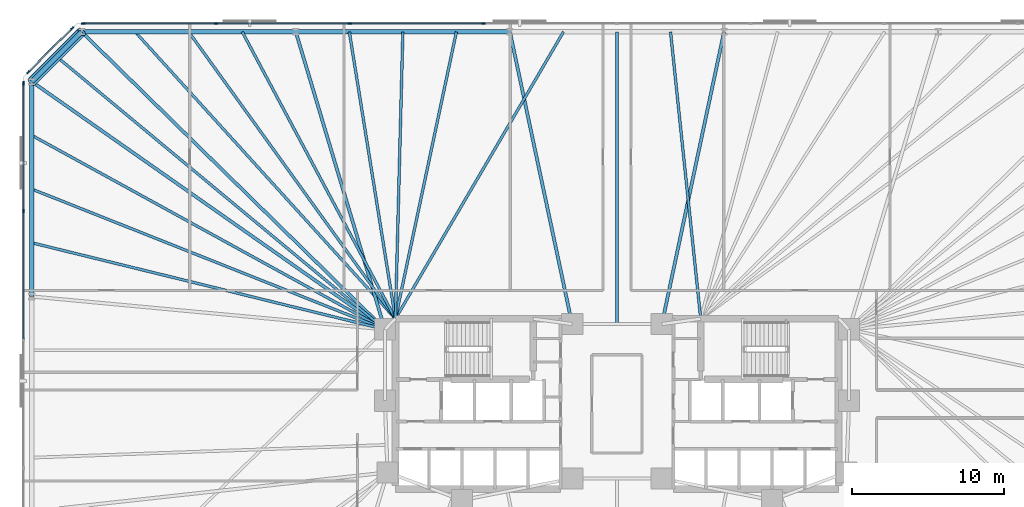
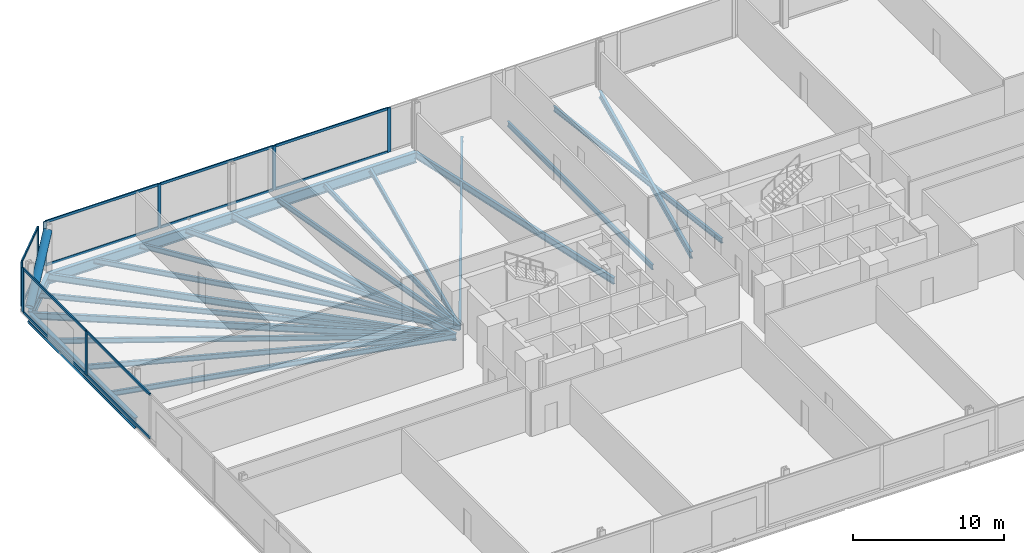
# One storey, part 8 of 17: 22 beams, 21 members, 3 elements without a shape of their own.
"""IFC4 building model written with IfcOpenShell, lengths in metres."""

import ifcopenshell
import ifcopenshell.guid

model = None  # the IFC model being written
_history = None  # IfcOwnerHistory: only IFC2X3 demands one
_inside = {}  # id of a spatial element -> (the spatial element, [elements in it])
_under = {}  # id of a project, library or spatial element -> (it, [spatial elements below it])
_declared = {}  # id of a project -> (the project, [libraries it declares])
_typed = {}  # id of a type object -> (the type object, [elements of that type])
_made_of = {}  # id of a material, layer set ... -> (it, [elements and type objects made of it])


def new_model(schema):
    """Start an empty IFC model of exactly this schema.

    Asked for "IFC4X3", IfcOpenShell would pick the latest addendum, in which some entities
    have other attributes; the version numbers below select the first issue.
    IFC2X3 requires an IfcOwnerHistory on every rooted entity: one is made here for all.
    """
    global model, _history
    if schema == "IFC4X3":
        model = ifcopenshell.file(schema_version=(4, 3, 0, 0))
    else:
        model = ifcopenshell.file(schema=schema)
    _inside.clear()
    _under.clear()
    _declared.clear()
    _typed.clear()
    _made_of.clear()
    _history = None
    if model.schema == "IFC2X3":
        org = make("IfcOrganization", Name="unknown")
        user = make(
            "IfcPersonAndOrganization",
            ThePerson=make("IfcPerson", FamilyName="unknown"),
            TheOrganization=org,
        )
        app = make(
            "IfcApplication",
            ApplicationDeveloper=org,
            Version="unknown",
            ApplicationFullName="unknown",
            ApplicationIdentifier="unknown",
        )
        _history = make(
            "IfcOwnerHistory",
            OwningUser=user,
            OwningApplication=app,
            ChangeAction="ADDED",
            CreationDate=0,
        )
    return model


def make(cls, **values):
    """One entity of the class cls with the attributes given. An attribute that is None is left unset."""
    return model.create_entity(
        cls, **{name: value for name, value in values.items() if value is not None}
    )


def rooted(cls, **values):
    """An entity with a GlobalId (a new one), such as an element, a storey or a relation."""
    return make(cls, GlobalId=ifcopenshell.guid.new(), OwnerHistory=_history, **values)


def si_unit(unit_type, name, prefix=None):
    """IfcSIUnit, for example si_unit("LENGTHUNIT", "METRE", prefix="MILLI")."""
    return make("IfcSIUnit", UnitType=unit_type, Prefix=prefix, Name=name)


def assignment(units):
    """IfcUnitAssignment: the units of a project."""
    return None if units is None else make("IfcUnitAssignment", Units=units)


def point(xyz):
    """IfcCartesianPoint."""
    return None if xyz is None else make("IfcCartesianPoint", Coordinates=xyz)


def direction(xyz):
    """IfcDirection."""
    return None if xyz is None else make("IfcDirection", DirectionRatios=xyz)


def frame(location, z_axis=None, x_axis=None):
    """IfcAxis2Placement3D, a coordinate frame: its origin and axes. An axis left out is left unset."""
    return make(
        "IfcAxis2Placement3D",
        Location=point(location),
        Axis=direction(z_axis),
        RefDirection=direction(x_axis),
    )


def frame_2d(location, x_axis=None):
    """IfcAxis2Placement2D, a coordinate frame in the plane: its origin and x axis."""
    return make(
        "IfcAxis2Placement2D", Location=point(location), RefDirection=direction(x_axis)
    )


def origin():
    """The frame at (0, 0, 0) with its axes left unset."""
    return frame((0.0, 0.0, 0.0))


def origin_2d():
    """The frame at (0, 0) in the plane with its x axis left unset."""
    return frame_2d((0.0, 0.0))


def place(relative_to, where):
    """IfcLocalPlacement: puts the frame where relative to a parent placement (None: the world)."""
    return make(
        "IfcLocalPlacement", PlacementRelTo=relative_to, RelativePlacement=where
    )


def context(
    kind, dimensions, precision=None, world=None, true_north=None, identifier=None
):
    """IfcGeometricRepresentationContext, for example the 3D "Model" context."""
    return make(
        "IfcGeometricRepresentationContext",
        ContextIdentifier=identifier,
        ContextType=kind,
        CoordinateSpaceDimension=dimensions,
        Precision=precision,
        WorldCoordinateSystem=world,
        TrueNorth=true_north,
    )


def subcontext(parent, identifier, kind, view, scale=None):
    """IfcGeometricRepresentationSubContext, for example "Body" below "Model"."""
    return make(
        "IfcGeometricRepresentationSubContext",
        ContextIdentifier=identifier,
        ContextType=kind,
        ParentContext=parent,
        TargetScale=scale,
        TargetView=view,
    )


def project(units=None, contexts=None):
    """IfcProject with its units and contexts."""
    return rooted(
        "IfcProject",
        Name="project",
        RepresentationContexts=contexts,
        UnitsInContext=assignment(units),
    )


def spatial(cls, under=None, at=None, **own):
    """A site, building, storey or space (cls), placed at a placement, below another one or the project."""
    s = rooted(cls, ObjectPlacement=at, **own)
    if under is not None:
        _under.setdefault(under.id(), (under, []))[1].append(s)
    return s


def profile(cls, at=None, kind="AREA", **sizes):
    """A parametric profile (cls). Its sizes go by their IFC names, for example OverallWidth=200.0."""
    return make(cls, ProfileType=kind, Position=at, **sizes)


def rectangle(**sizes):
    """IfcRectangleProfileDef."""
    return profile("IfcRectangleProfileDef", **sizes)


def hollow_circle(**sizes):
    """IfcCircleHollowProfileDef."""
    return profile("IfcCircleHollowProfileDef", **sizes)


def i_section(**sizes):
    """IfcIShapeProfileDef."""
    return profile("IfcIShapeProfileDef", **sizes)


def extrude(swept, where, along, depth):
    """IfcExtrudedAreaSolid: the profile swept, set in the frame where, extruded along a direction by depth."""
    return make(
        "IfcExtrudedAreaSolid",
        SweptArea=swept,
        Position=where,
        ExtrudedDirection=direction(along),
        Depth=depth,
    )


def shape(context_of_items, identifier, shape_type, items):
    """IfcShapeRepresentation: the items that make up one representation, for example the "Body"."""
    return make(
        "IfcShapeRepresentation",
        ContextOfItems=context_of_items,
        RepresentationIdentifier=identifier,
        RepresentationType=shape_type,
        Items=items,
    )


def material(Name=None, Category=None):
    """IfcMaterial."""
    return make("IfcMaterial", Name=Name, Category=Category)


def material_profile(
    of_material, cross_section, Name=None, Category=None, Priority=None
):
    """IfcMaterialProfile: a cross section and its material."""
    return make(
        "IfcMaterialProfile",
        Name=Name,
        Material=of_material,
        Profile=cross_section,
        Priority=Priority,
        Category=Category,
    )


def profile_set(profiles, Name=None, composite=None):
    """IfcMaterialProfileSet."""
    return make(
        "IfcMaterialProfileSet",
        Name=Name,
        MaterialProfiles=profiles,
        CompositeProfile=composite,
    )


def made_of(thing, what):
    """Note that an element or type object is made of a material, layer set ...; save() writes the relation."""
    if what is not None:
        _made_of.setdefault(what.id(), (what, []))[1].append(thing)
    return thing


def type_object(cls, material=None, **own):
    """A type object (cls), such as IfcWallType, which elements share."""
    return made_of(rooted(cls, **own), material)


def element(
    cls,
    number,
    at=None,
    inside=None,
    cuts=None,
    type_object=None,
    material=None,
    context=None,
    identifier="Body",
    shape_type=None,
    held_by="IfcProductDefinitionShape",
    body=None,
    shapes=None,
    **own,
):
    """One element of the class cls, such as IfcWall. Its Tag is "e" and its number.

    at: its placement. inside: the storey or other place that contains it. cuts: it is an
    opening in that element (IfcRelVoidsElement). A single representation is given by context,
    identifier, shape_type and body (its items); several are given by shapes. held_by: the class
    of the entity that holds the representations. save() writes the other relations.
    """
    e = rooted(cls, Tag="e%d" % number, ObjectPlacement=at, **own)
    if body is not None:
        shapes = [shape(context, identifier, shape_type, body)]
    if shapes is not None:
        e.Representation = make(held_by, Representations=shapes)
    if inside is not None:
        _inside.setdefault(inside.id(), (inside, []))[1].append(e)
    if cuts is not None:
        rooted(
            "IfcRelVoidsElement", RelatingBuildingElement=cuts, RelatedOpeningElement=e
        )
    if type_object is not None:
        _typed.setdefault(type_object.id(), (type_object, []))[1].append(e)
    return made_of(e, material)


def aggregate(whole, parts):
    """IfcRelAggregates: a whole, such as a stair, and the parts it consists of."""
    return rooted("IfcRelAggregates", RelatingObject=whole, RelatedObjects=parts)


def save(model, path):
    """Write the relations noted so far, then the file.

    IfcRelAggregates (storeys below a building ...), IfcRelContainedInSpatialStructure (elements
    in a storey), IfcRelDefinesByType, IfcRelAssociatesMaterial and IfcRelDeclares: one each for
    every whole, place, type object, material and project.
    """
    for whole, parts in _under.values():
        aggregate(whole, parts)
    for where, things in _inside.values():
        rooted(
            "IfcRelContainedInSpatialStructure",
            RelatedElements=things,
            RelatingStructure=where,
        )
    for kind, things in _typed.values():
        rooted("IfcRelDefinesByType", RelatedObjects=things, RelatingType=kind)
    for what, things in _made_of.values():
        rooted("IfcRelAssociatesMaterial", RelatedObjects=things, RelatingMaterial=what)
    for by, libraries in _declared.values():
        rooted("IfcRelDeclares", RelatingContext=by, RelatedDefinitions=libraries)
    model.write(path)


model = new_model("IFC4")

# Units and contexts
model_context = context("Model", 3, precision=1e-05, world=origin(), true_north=direction((0.0, 1.0)))
body_context = subcontext(model_context, "Body", "Model", "MODEL_VIEW")
ifc_project = project(units=[si_unit("LENGTHUNIT", "METRE"), si_unit("AREAUNIT", "SQUARE_METRE"), si_unit("VOLUMEUNIT", "CUBIC_METRE"), si_unit("PLANEANGLEUNIT", "RADIAN"), si_unit("MASSUNIT", "GRAM", prefix="KILO")], contexts=[model_context])

# Site, building, storey
site_placement = place(None, origin())
site = spatial("IfcSite", under=ifc_project, at=site_placement, CompositionType="ELEMENT")
building_placement = place(site_placement, origin())
building = spatial("IfcBuilding", under=site, at=building_placement, Name="Menara Jurai Vektor", CompositionType="ELEMENT")
storey_placement = place(building_placement, frame((0.0, 0.0, 52.199951171875)))
storey = spatial("IfcBuildingStorey", under=building, at=storey_placement, Name="L12", CompositionType="ELEMENT", Elevation=52.199951171875)

# Curtain wall, members
ifc_material_1 = material(Name="Anodised Pale Aluminium & Low-E Double Glazing", Category="aluminium")
curtain_wall_type = type_object("IfcCurtainWallType", Name="CW-BLK1", PredefinedType="NOTDEFINED", material=ifc_material_1)
curtain_wall_1_placement = place(storey_placement, origin())
curtain_wall_1 = element("IfcCurtainWall", 1, at=curtain_wall_1_placement, inside=storey, type_object=curtain_wall_type, Name="Unitised Curtain Wall L12 F05", PredefinedType="NOTDEFINED")
ifc_material_2 = material(Name="Anodised Pale Aluminium Mullion", Category="aluminium")
ifc_material_profile_1 = material_profile(ifc_material_2, rectangle(XDim=0.094970703125, YDim=0.239990234375, at=origin_2d()), Name="ALU MUL 95x240")
ifc_profile_set_1 = profile_set([ifc_material_profile_1], Name="Anodised Pale Aluminium Mullion")
member_type_1 = type_object("IfcMemberType", Name="CW-BLK1-MUL", PredefinedType="MULLION", material=ifc_profile_set_1)
member_1_placement = place(storey_placement, frame((-8.780029296875, 25.0, 0.0), z_axis=(0.0, 0.0, 1.0), x_axis=(0.0, -1.0, 0.0)))
member_1 = element("IfcMember", 2, at=member_1_placement, type_object=member_type_1, Name="CW-01 mullion 6", PredefinedType="MULLION", context=body_context, shape_type="SweptSolid", body=[
    extrude(rectangle(XDim=0.094970703125, YDim=0.239990234375, at=origin_2d()), origin(), (0.0, 0.0, 1.0), 3.574951171875),
])
member_2_placement = place(storey_placement, frame((-17.56005859375, 25.0, 0.0), z_axis=(0.0, 0.0, 1.0), x_axis=(0.0, -1.0, 0.0)))
member_2 = element("IfcMember", 3, at=member_2_placement, type_object=member_type_1, Name="CW-01 mullion 7", PredefinedType="MULLION", context=body_context, shape_type="SweptSolid", body=[
    extrude(rectangle(XDim=0.094970703125, YDim=0.239990234375, at=origin_2d()), origin(), (0.0, 0.0, 1.0), 3.574951171875),
])
member_3_placement = place(storey_placement, frame((-26.340087890625, 25.0, 0.0), z_axis=(0.0, 0.0, 1.0), x_axis=(0.0, -1.0, 0.0)))
member_3 = element("IfcMember", 4, at=member_3_placement, type_object=member_type_1, Name="CW-01 mullion 8", PredefinedType="MULLION", context=body_context, shape_type="SweptSolid", body=[
    extrude(rectangle(XDim=0.094970703125, YDim=0.239990234375, at=origin_2d()), origin(), (0.0, 0.0, 1.0), 3.574951171875),
])
member_4_placement = place(storey_placement, frame((-35.072509765625, 25.0, 0.0), z_axis=(0.0, 0.0, 1.0), x_axis=(0.0, -1.0, 0.0)))
member_4 = element("IfcMember", 5, at=member_4_placement, type_object=member_type_1, Name="CW-01 mullion 9", PredefinedType="MULLION", context=body_context, shape_type="SweptSolid", body=[
    extrude(rectangle(XDim=0.094970703125, YDim=0.239990234375, at=origin_2d()), origin(), (0.0, 0.0, 1.0), 3.574951171875),
])

curtain_wall_2_placement = place(storey_placement, origin())
curtain_wall_2 = element("IfcCurtainWall", 6, at=curtain_wall_2_placement, inside=storey, type_object=curtain_wall_type, Name="Unitised Curtain Wall L12 F06", PredefinedType="NOTDEFINED")
member_5_placement = place(storey_placement, frame((-35.80224609375, 24.69775390625, 0.0), z_axis=(0.0, 0.0, 1.0), x_axis=(0.707106781187, -0.707106781187, 0.0)))
member_5 = element("IfcMember", 7, at=member_5_placement, type_object=member_type_1, Name="CW-01 mullion 1", PredefinedType="MULLION", context=body_context, shape_type="SweptSolid", body=[
    extrude(rectangle(XDim=0.094970703125, YDim=0.239990234375, at=origin_2d()), origin(), (0.0, 0.0, 1.0), 3.574951171875),
])
member_6_placement = place(storey_placement, frame((-38.69775390625, 21.80224609375, 0.0), z_axis=(0.0, 0.0, 1.0), x_axis=(0.707106781187, -0.707106781187, 0.0)))
member_6 = element("IfcMember", 8, at=member_6_placement, type_object=member_type_1, Name="CW-01 mullion 2", PredefinedType="MULLION", context=body_context, shape_type="SweptSolid", body=[
    extrude(rectangle(XDim=0.094970703125, YDim=0.239990234375, at=origin_2d()), origin(), (0.0, 0.0, 1.0), 3.574951171875),
])

curtain_wall_3_placement = place(storey_placement, origin())
curtain_wall_3 = element("IfcCurtainWall", 9, at=curtain_wall_3_placement, inside=storey, type_object=curtain_wall_type, Name="Unitised Curtain Wall L12 F07", PredefinedType="NOTDEFINED")
member_7_placement = place(storey_placement, frame((-39.0, 21.072509765625, 0.0), z_axis=(0.0, 0.0, 1.0), x_axis=(1.0, 0.0, 0.0)))
member_7 = element("IfcMember", 10, at=member_7_placement, type_object=member_type_1, Name="CW-01 mullion 1", PredefinedType="MULLION", context=body_context, shape_type="SweptSolid", body=[
    extrude(rectangle(XDim=0.094970703125, YDim=0.239990234375, at=origin_2d()), origin(), (0.0, 0.0, 1.0), 3.574951171875),
])
member_8_placement = place(storey_placement, frame((-39.0, 12.672119140625, 0.0), z_axis=(0.0, 0.0, 1.0), x_axis=(1.0, 0.0, 0.0)))
member_8 = element("IfcMember", 11, at=member_8_placement, type_object=member_type_1, Name="CW-01 mullion 2", PredefinedType="MULLION", context=body_context, shape_type="SweptSolid", body=[
    extrude(rectangle(XDim=0.094970703125, YDim=0.239990234375, at=origin_2d()), origin(), (0.0, 0.0, 1.0), 3.574951171875),
])

# Member
ifc_material_3 = material(Name="Anodised Pale Aluminium Transom", Category="aluminium")
ifc_material_profile_2 = material_profile(ifc_material_3, rectangle(XDim=0.094970703125, YDim=0.199951171875, at=origin_2d()), Name="ALU TRN 95x200")
ifc_profile_set_2 = profile_set([ifc_material_profile_2], Name="Anodised Pale Aluminium Transom")
member_type_2 = type_object("IfcMemberType", Name="CW-BLK1-TRN", PredefinedType="USERDEFINED", material=ifc_profile_set_2)
member_9_placement = place(storey_placement, frame((-8.827392578125, 25.0, 0.047607421875), z_axis=(-1.0, 0.0, 0.0), x_axis=(0.0, -1.0, 0.0)))
member_9 = element("IfcMember", 12, at=member_9_placement, type_object=member_type_2, Name="CW-01 transom 6.1", ObjectType="TRANSOM", PredefinedType="USERDEFINED", context=body_context, shape_type="SweptSolid", body=[
    extrude(rectangle(XDim=0.094970703125, YDim=0.199951171875, at=origin_2d()), origin(), (0.0, 0.0, 1.0), 8.68505859375),
])

member_10_placement = place(storey_placement, frame((-8.827392578125, 25.0, 3.527587890625), z_axis=(-1.0, 0.0, 0.0), x_axis=(0.0, -1.0, 0.0)))
member_10 = element("IfcMember", 13, at=member_10_placement, type_object=member_type_2, Name="CW-01 transom 6.2", ObjectType="TRANSOM", PredefinedType="USERDEFINED", context=body_context, shape_type="SweptSolid", body=[
    extrude(rectangle(XDim=0.094970703125, YDim=0.199951171875, at=origin_2d()), origin(), (0.0, 0.0, 1.0), 8.68505859375),
])

member_11_placement = place(storey_placement, frame((-17.607421875, 25.0, 0.047607421875), z_axis=(-1.0, 0.0, 0.0), x_axis=(0.0, -1.0, 0.0)))
member_11 = element("IfcMember", 14, at=member_11_placement, type_object=member_type_2, Name="CW-01 transom 7.1", ObjectType="TRANSOM", PredefinedType="USERDEFINED", context=body_context, shape_type="SweptSolid", body=[
    extrude(rectangle(XDim=0.094970703125, YDim=0.199951171875, at=origin_2d()), origin(), (0.0, 0.0, 1.0), 8.68505859375),
])

member_12_placement = place(storey_placement, frame((-17.607421875, 25.0, 3.527587890625), z_axis=(-1.0, 0.0, 0.0), x_axis=(0.0, -1.0, 0.0)))
member_12 = element("IfcMember", 15, at=member_12_placement, type_object=member_type_2, Name="CW-01 transom 7.2", ObjectType="TRANSOM", PredefinedType="USERDEFINED", context=body_context, shape_type="SweptSolid", body=[
    extrude(rectangle(XDim=0.094970703125, YDim=0.199951171875, at=origin_2d()), origin(), (0.0, 0.0, 1.0), 8.68505859375),
])

member_13_placement = place(storey_placement, frame((-26.387451171875, 25.0, 0.047607421875), z_axis=(-1.0, 0.0, 0.0), x_axis=(0.0, -1.0, 0.0)))
member_13 = element("IfcMember", 16, at=member_13_placement, type_object=member_type_2, Name="CW-01 transom 8.1", ObjectType="TRANSOM", PredefinedType="USERDEFINED", context=body_context, shape_type="SweptSolid", body=[
    extrude(rectangle(XDim=0.094970703125, YDim=0.199951171875, at=origin_2d()), origin(), (0.0, 0.0, 1.0), 8.637451171875),
])

member_14_placement = place(storey_placement, frame((-26.387451171875, 25.0, 3.527587890625), z_axis=(-1.0, 0.0, 0.0), x_axis=(0.0, -1.0, 0.0)))
member_14 = element("IfcMember", 17, at=member_14_placement, type_object=member_type_2, Name="CW-01 transom 8.2", ObjectType="TRANSOM", PredefinedType="USERDEFINED", context=body_context, shape_type="SweptSolid", body=[
    extrude(rectangle(XDim=0.094970703125, YDim=0.199951171875, at=origin_2d()), origin(), (0.0, 0.0, 1.0), 8.637451171875),
])

aggregate(curtain_wall_1, [member_1, member_2, member_3, member_4, member_9, member_10, member_11, member_12, member_13, member_14])

member_15_placement = place(storey_placement, frame((-35.8359375, 24.6640625, 0.047607421875), z_axis=(-0.707106781187, -0.707106781187, 0.0), x_axis=(0.707106781187, -0.707106781187, 0.0)))
member_15 = element("IfcMember", 18, at=member_15_placement, type_object=member_type_2, Name="CW-01 transom 1.1", ObjectType="TRANSOM", PredefinedType="USERDEFINED", context=body_context, shape_type="SweptSolid", body=[
    extrude(rectangle(XDim=0.094970703125, YDim=0.199951171875, at=origin_2d()), origin(), (0.0, 0.0, 1.0), 3.99951171875),
])

member_16_placement = place(storey_placement, frame((-35.8359375, 24.6640625, 3.527587890625), z_axis=(-0.707106781187, -0.707106781187, 0.0), x_axis=(0.707106781187, -0.707106781187, 0.0)))
member_16 = element("IfcMember", 19, at=member_16_placement, type_object=member_type_2, Name="CW-01 transom 1.2", ObjectType="TRANSOM", PredefinedType="USERDEFINED", context=body_context, shape_type="SweptSolid", body=[
    extrude(rectangle(XDim=0.094970703125, YDim=0.199951171875, at=origin_2d()), origin(), (0.0, 0.0, 1.0), 3.99951171875),
])

aggregate(curtain_wall_2, [member_5, member_6, member_15, member_16])

member_17_placement = place(storey_placement, frame((-39.0, 21.02490234375, 0.047607421875), z_axis=(0.0, -1.0, 0.0), x_axis=(1.0, 0.0, 0.0)))
member_17 = element("IfcMember", 20, at=member_17_placement, type_object=member_type_2, Name="CW-01 transom 1.1", ObjectType="TRANSOM", PredefinedType="USERDEFINED", context=body_context, shape_type="SweptSolid", body=[
    extrude(rectangle(XDim=0.094970703125, YDim=0.199951171875, at=origin_2d()), origin(), (0.0, 0.0, 1.0), 8.305419921875),
])

member_18_placement = place(storey_placement, frame((-39.0, 21.02490234375, 3.527587890625), z_axis=(0.0, -1.0, 0.0), x_axis=(1.0, 0.0, 0.0)))
member_18 = element("IfcMember", 21, at=member_18_placement, type_object=member_type_2, Name="CW-01 transom 1.2", ObjectType="TRANSOM", PredefinedType="USERDEFINED", context=body_context, shape_type="SweptSolid", body=[
    extrude(rectangle(XDim=0.094970703125, YDim=0.199951171875, at=origin_2d()), origin(), (0.0, 0.0, 1.0), 8.305419921875),
])

member_19_placement = place(storey_placement, frame((-39.0, 12.62451171875, 0.047607421875), z_axis=(0.0, -1.0, 0.0), x_axis=(1.0, 0.0, 0.0)))
member_19 = element("IfcMember", 22, at=member_19_placement, type_object=member_type_2, Name="CW-01 transom 2.1", ObjectType="TRANSOM", PredefinedType="USERDEFINED", context=body_context, shape_type="SweptSolid", body=[
    extrude(rectangle(XDim=0.094970703125, YDim=0.199951171875, at=origin_2d()), origin(), (0.0, 0.0, 1.0), 8.35302734375),
])

member_20_placement = place(storey_placement, frame((-39.0, 12.62451171875, 3.527587890625), z_axis=(0.0, -1.0, 0.0), x_axis=(1.0, 0.0, 0.0)))
member_20 = element("IfcMember", 23, at=member_20_placement, type_object=member_type_2, Name="CW-01 transom 2.2", ObjectType="TRANSOM", PredefinedType="USERDEFINED", context=body_context, shape_type="SweptSolid", body=[
    extrude(rectangle(XDim=0.094970703125, YDim=0.199951171875, at=origin_2d()), origin(), (0.0, 0.0, 1.0), 8.35302734375),
])

aggregate(curtain_wall_3, [member_7, member_8, member_17, member_18, member_19, member_20])

# Beams
ifc_material_4 = material(Name="Steel S355", Category="steel")
ifc_material_profile_3 = material_profile(ifc_material_4, i_section(OverallWidth=0.2109375, OverallDepth=0.5390625, WebThickness=0.011962890625, FlangeThickness=0.01904296875, FilletRadius=0.012939453125, at=origin_2d()), Name="UKB 533x210x109")
ifc_profile_set_3 = profile_set([ifc_material_profile_3], Name="Steel S355")
beam_type_1 = type_object("IfcBeamType", Name="STR-BM-533", PredefinedType="BEAM", material=ifc_profile_set_3)
for number, where, z_axis, x_axis, name in (
    (24, (7.03564453125, 24.449951171875, -0.494384765625), (-0.2081367579, -0.978099734184, 0.0), (0.978099734184, -0.2081367579, 0.0), "Radial Floor Girder L12-N3"),
    (25, (-7.03564453125, 24.449951171875, -0.494384765625), (0.2081367579, -0.978099734184, 0.0), (0.978099734184, 0.2081367579, 0.0), "Radial Floor Girder L12-N4"),
):
    element("IfcBeam", number, at=place(storey_placement, frame(where, z_axis=z_axis, x_axis=x_axis)), inside=storey, type_object=beam_type_1, Name=name, PredefinedType="BEAM", context=body_context, shape_type="SweptSolid", body=[
        extrude(i_section(OverallWidth=0.2109375, OverallDepth=0.5390625, WebThickness=0.011962890625, FlangeThickness=0.01904296875, FilletRadius=0.012939453125, at=origin_2d()), origin(), (0.0, 0.0, 1.0), 19.6298828125),
    ])
beam_1_placement = place(storey_placement, frame((-21.106689453125, 24.449951171875, -0.494384765625), z_axis=(0.286973617166, -0.957938486047, 0.0), x_axis=(0.957938486047, 0.286973617166, 0.0)))
element("IfcBeam", 26, at=beam_1_placement, inside=storey, type_object=beam_type_1, Name="Radial Floor Girder L12-N5", PredefinedType="BEAM", context=body_context, shape_type="SweptSolid", body=[
    extrude(i_section(OverallWidth=0.2109375, OverallDepth=0.5390625, WebThickness=0.011962890625, FlangeThickness=0.01904296875, FilletRadius=0.012939453125, at=origin_2d()), origin(), (0.0, 0.0, 1.0), 20.408447265625),
])
beam_2_placement = place(storey_placement, frame((-35.177734375, 24.449951171875, -0.494384765625), z_axis=(0.713839032855, -0.700309813706, 0.0), x_axis=(0.700309813706, 0.713839032855, 0.0)))
element("IfcBeam", 27, at=beam_2_placement, inside=storey, type_object=beam_type_1, Name="Radial Floor Girder L12-N6", PredefinedType="BEAM", context=body_context, shape_type="SweptSolid", body=[
    extrude(i_section(OverallWidth=0.2109375, OverallDepth=0.5390625, WebThickness=0.011962890625, FlangeThickness=0.01904296875, FilletRadius=0.012939453125, at=origin_2d()), origin(), (0.0, 0.0, 1.0), 27.916259765625),
])
beam_3_placement = place(storey_placement, frame((-38.449951171875, 21.177734375, -0.494384765625), z_axis=(0.818603732445, -0.574358711283, 0.0), x_axis=(0.574358711283, 0.818603732445, 0.0)))
element("IfcBeam", 28, at=beam_3_placement, inside=storey, type_object=beam_type_1, Name="Radial Floor Girder L12-W1", PredefinedType="BEAM", context=body_context, shape_type="SweptSolid", body=[
    extrude(i_section(OverallWidth=0.2109375, OverallDepth=0.5390625, WebThickness=0.011962890625, FlangeThickness=0.01904296875, FilletRadius=0.012939453125, at=origin_2d()), origin(), (0.0, 0.0, 1.0), 28.3408203125),
])

# Member
ifc_material_5 = material(Name="Steel S460", Category="steel")
ifc_material_profile_4 = material_profile(ifc_material_5, hollow_circle(Radius=0.304931640625, WallThickness=0.02490234375, at=origin_2d()), Name="CHS 610x25")
ifc_profile_set_4 = profile_set([ifc_material_profile_4], Name="Steel S460")
member_type_3 = type_object("IfcMemberType", Name="STR-BR-610", PredefinedType="BRACE", material=ifc_profile_set_4)
member_21_placement = place(storey_placement, frame((-38.449951171875, 21.177734375, 0.150146484375), z_axis=(0.588942422958, 0.588942422958, 0.553438022619), x_axis=(-0.707106781187, 0.707106781187, 0.0)))
element("IfcMember", 29, at=member_21_placement, inside=storey, type_object=member_type_3, Name="Exoskeleton Corner Brace L12-3", PredefinedType="BRACE", context=body_context, shape_type="SweptSolid", body=[
    extrude(hollow_circle(Radius=0.304931640625, WallThickness=0.02490234375, at=origin_2d()), origin(), (0.0, 0.0, 1.0), 5.55615234375),
])

# Beams
ifc_material_profile_5 = material_profile(ifc_material_4, i_section(OverallWidth=0.178955078125, OverallDepth=0.408935546875, WebThickness=0.009033203125, FlangeThickness=0.013916015625, FilletRadius=0.010009765625, at=origin_2d()), Name="UKB 406x178x67")
ifc_profile_set_5 = profile_set([ifc_material_profile_5], Name="Steel S355")
beam_type_2 = type_object("IfcBeamType", Name="STR-JS-406", PredefinedType="JOIST", material=ifc_profile_set_5)
beam_4_placement = place(storey_placement, frame((3.517822265625, 24.449951171875, -0.429443359375), z_axis=(0.104579513969, -0.994516528399, 0.0), x_axis=(0.994516528399, 0.104579513969, 0.0)))
element("IfcBeam", 30, at=beam_4_placement, inside=storey, type_object=beam_type_2, Name="Radial Secondary Floor Joist L12-JS22", PredefinedType="JOIST", context=body_context, shape_type="SweptSolid", body=[
    extrude(i_section(OverallWidth=0.178955078125, OverallDepth=0.408935546875, WebThickness=0.009033203125, FlangeThickness=0.013916015625, FilletRadius=0.010009765625, at=origin_2d()), origin(), (0.0, 0.0, 1.0), 18.953857421875),
])
beam_5_placement = place(storey_placement, frame((0.0, 24.449951171875, -0.429443359375), z_axis=(0.0, -1.0, 0.0), x_axis=(1.0, 0.0, 0.0)))
element("IfcBeam", 31, at=beam_5_placement, inside=storey, type_object=beam_type_2, Name="Radial Secondary Floor Joist L12-JS23", PredefinedType="JOIST", context=body_context, shape_type="SweptSolid", body=[
    extrude(i_section(OverallWidth=0.178955078125, OverallDepth=0.408935546875, WebThickness=0.009033203125, FlangeThickness=0.013916015625, FilletRadius=0.010009765625, at=origin_2d()), origin(), (0.0, 0.0, 1.0), 19.199951171875),
])
beam_6_placement = place(storey_placement, frame((-3.517822265625, 24.449951171875, -0.429443359375), z_axis=(-0.505457909797, -0.862851262631, 0.0), x_axis=(0.862851262631, -0.505457909797, 0.0)))
element("IfcBeam", 32, at=beam_6_placement, inside=storey, type_object=beam_type_2, Name="Radial Secondary Floor Joist L12-JS24", PredefinedType="JOIST", context=body_context, shape_type="SweptSolid", body=[
    extrude(i_section(OverallWidth=0.178955078125, OverallDepth=0.408935546875, WebThickness=0.009033203125, FlangeThickness=0.013916015625, FilletRadius=0.010009765625, at=origin_2d()), origin(), (0.0, 0.0, 1.0), 21.845947265625),
])
beam_7_placement = place(storey_placement, frame((-10.55322265625, 24.449951171875, -0.429443359375), z_axis=(-0.207920423262, -0.978145744555, 0.0), x_axis=(0.978145744555, -0.207920423262, 0.0)))
element("IfcBeam", 33, at=beam_7_placement, inside=storey, type_object=beam_type_2, Name="Radial Secondary Floor Joist L12-JS25", PredefinedType="JOIST", context=body_context, shape_type="SweptSolid", body=[
    extrude(i_section(OverallWidth=0.178955078125, OverallDepth=0.408935546875, WebThickness=0.009033203125, FlangeThickness=0.013916015625, FilletRadius=0.010009765625, at=origin_2d()), origin(), (0.0, 0.0, 1.0), 19.27099609375),
])
beam_8_placement = place(storey_placement, frame((-14.071044921875, 24.449951171875, -0.429443359375), z_axis=(-0.02593384597, -0.999663661255, 0.0), x_axis=(0.999663661255, -0.02593384597, 0.0)))
element("IfcBeam", 34, at=beam_8_placement, inside=storey, type_object=beam_type_2, Name="Radial Secondary Floor Joist L12-JS26", PredefinedType="JOIST", context=body_context, shape_type="SweptSolid", body=[
    extrude(i_section(OverallWidth=0.178955078125, OverallDepth=0.408935546875, WebThickness=0.009033203125, FlangeThickness=0.013916015625, FilletRadius=0.010009765625, at=origin_2d()), origin(), (0.0, 0.0, 1.0), 18.856201171875),
])
beam_9_placement = place(storey_placement, frame((-17.5888671875, 24.449951171875, -0.429443359375), z_axis=(0.158645817656, -0.987335558227, 0.0), x_axis=(0.987335558227, 0.158645817656, 0.0)))
element("IfcBeam", 35, at=beam_9_placement, inside=storey, type_object=beam_type_2, Name="Radial Secondary Floor Joist L12-JS27", PredefinedType="JOIST", context=body_context, shape_type="SweptSolid", body=[
    extrude(i_section(OverallWidth=0.178955078125, OverallDepth=0.408935546875, WebThickness=0.009033203125, FlangeThickness=0.013916015625, FilletRadius=0.010009765625, at=origin_2d()), origin(), (0.0, 0.0, 1.0), 19.091552734375),
])
beam_10_placement = place(storey_placement, frame((-24.62451171875, 24.449951171875, -0.429443359375), z_axis=(0.470996174599, -0.882135252392, 0.0), x_axis=(0.882135252392, 0.470996174599, 0.0)))
element("IfcBeam", 36, at=beam_10_placement, inside=storey, type_object=beam_type_2, Name="Radial Secondary Floor Joist L12-JS28", PredefinedType="JOIST", context=body_context, shape_type="SweptSolid", body=[
    extrude(i_section(OverallWidth=0.178955078125, OverallDepth=0.408935546875, WebThickness=0.009033203125, FlangeThickness=0.013916015625, FilletRadius=0.010009765625, at=origin_2d()), origin(), (0.0, 0.0, 1.0), 21.368408203125),
])
beam_11_placement = place(storey_placement, frame((-28.142333984375, 24.449951171875, -0.429443359375), z_axis=(0.584598948369, -0.811322420229, 0.0), x_axis=(0.811322420229, 0.584598948369, 0.0)))
element("IfcBeam", 37, at=beam_11_placement, inside=storey, type_object=beam_type_2, Name="Radial Secondary Floor Joist L12-JS29", PredefinedType="JOIST", context=body_context, shape_type="SweptSolid", body=[
    extrude(i_section(OverallWidth=0.178955078125, OverallDepth=0.408935546875, WebThickness=0.009033203125, FlangeThickness=0.013916015625, FilletRadius=0.010009765625, at=origin_2d()), origin(), (0.0, 0.0, 1.0), 23.2333984375),
])
beam_12_placement = place(storey_placement, frame((-31.659912109375, 24.449951171875, -0.429443359375), z_axis=(0.671889844346, -0.740651089964, 0.0), x_axis=(0.740651089964, 0.671889844346, 0.0)))
element("IfcBeam", 38, at=beam_12_placement, inside=storey, type_object=beam_type_2, Name="Radial Secondary Floor Joist L12-JS30", PredefinedType="JOIST", context=body_context, shape_type="SweptSolid", body=[
    extrude(i_section(OverallWidth=0.178955078125, OverallDepth=0.408935546875, WebThickness=0.009033203125, FlangeThickness=0.013916015625, FilletRadius=0.010009765625, at=origin_2d()), origin(), (0.0, 0.0, 1.0), 25.450439453125),
])
beam_13_placement = place(storey_placement, frame((-36.81396484375, 22.81396484375, -0.429443359375), z_axis=(0.769201173096, -0.639006694259, 0.0), x_axis=(0.639006694259, 0.769201173096, 0.0)))
element("IfcBeam", 39, at=beam_13_placement, inside=storey, type_object=beam_type_2, Name="Radial Secondary Floor Joist L12-JS31", PredefinedType="JOIST", context=body_context, shape_type="SweptSolid", body=[
    extrude(i_section(OverallWidth=0.178955078125, OverallDepth=0.408935546875, WebThickness=0.009033203125, FlangeThickness=0.013916015625, FilletRadius=0.010009765625, at=origin_2d()), origin(), (0.0, 0.0, 1.0), 28.0341796875),
])
beam_14_placement = place(storey_placement, frame((-38.449951171875, 17.648193359375, -0.429443359375), z_axis=(0.87640219057, -0.481579900291, 0.0), x_axis=(0.481579900291, 0.87640219057, 0.0)))
element("IfcBeam", 40, at=beam_14_placement, inside=storey, type_object=beam_type_2, Name="Radial Secondary Floor Joist L12-JS32", PredefinedType="JOIST", context=body_context, shape_type="SweptSolid", body=[
    extrude(i_section(OverallWidth=0.178955078125, OverallDepth=0.408935546875, WebThickness=0.009033203125, FlangeThickness=0.013916015625, FilletRadius=0.010009765625, at=origin_2d()), origin(), (0.0, 0.0, 1.0), 26.471923828125),
])
beam_15_placement = place(storey_placement, frame((-38.449951171875, 14.118408203125, -0.429443359375), z_axis=(0.929323400723, -0.369266864027, 0.0), x_axis=(0.369266864027, 0.929323400723, 0.0)))
element("IfcBeam", 41, at=beam_15_placement, inside=storey, type_object=beam_type_2, Name="Radial Secondary Floor Joist L12-JS33", PredefinedType="JOIST", context=body_context, shape_type="SweptSolid", body=[
    extrude(i_section(OverallWidth=0.178955078125, OverallDepth=0.408935546875, WebThickness=0.009033203125, FlangeThickness=0.013916015625, FilletRadius=0.010009765625, at=origin_2d()), origin(), (0.0, 0.0, 1.0), 24.96435546875),
])
beam_16_placement = place(storey_placement, frame((-38.449951171875, 10.5888671875, -0.429443359375), z_axis=(0.971226234641, -0.238158772976, 0.0), x_axis=(0.238158772976, 0.971226234641, 0.0)))
element("IfcBeam", 42, at=beam_16_placement, inside=storey, type_object=beam_type_2, Name="Radial Secondary Floor Joist L12-JS34", PredefinedType="JOIST", context=body_context, shape_type="SweptSolid", body=[
    extrude(i_section(OverallWidth=0.178955078125, OverallDepth=0.408935546875, WebThickness=0.009033203125, FlangeThickness=0.013916015625, FilletRadius=0.010009765625, at=origin_2d()), origin(), (0.0, 0.0, 1.0), 23.88720703125),
])
ifc_material_profile_6 = material_profile(ifc_material_5, i_section(OverallWidth=0.2939453125, OverallDepth=0.85107421875, WebThickness=0.01611328125, FlangeThickness=0.027099609375, FilletRadius=0.01806640625, at=origin_2d()), Name="UKB 838x292x226")
ifc_profile_set_6 = profile_set([ifc_material_profile_6], Name="Steel S460")
beam_type_3 = type_object("IfcBeamType", Name="STR-SP-838", PredefinedType="SPANDREL", material=ifc_profile_set_6)
for number, where, z_axis, x_axis, name in (
    (43, (-7.03564453125, 24.449951171875, -0.650390625), (-1.0, 0.0, 0.0), (0.0, -1.0, 0.0), "Exoskeleton Spandrel Beam L12-14"),
    (44, (-21.106689453125, 24.449951171875, -0.650390625), (-1.0, 0.0, 0.0), (0.0, -1.0, 0.0), "Exoskeleton Spandrel Beam L12-15"),
):
    element("IfcBeam", number, at=place(storey_placement, frame(where, z_axis=z_axis, x_axis=x_axis)), inside=storey, type_object=beam_type_3, Name=name, PredefinedType="SPANDREL", context=body_context, shape_type="SweptSolid", body=[
        extrude(i_section(OverallWidth=0.2939453125, OverallDepth=0.85107421875, WebThickness=0.01611328125, FlangeThickness=0.027099609375, FilletRadius=0.01806640625, at=origin_2d()), origin(), (0.0, 0.0, 1.0), 14.071044921875),
    ])
beam_17_placement = place(storey_placement, frame((-35.177734375, 24.449951171875, -0.650390625), z_axis=(-0.707106781187, -0.707106781187, 0.0), x_axis=(0.707106781187, -0.707106781187, 0.0)))
element("IfcBeam", 45, at=beam_17_placement, inside=storey, type_object=beam_type_3, Name="Exoskeleton Spandrel Beam L12-16", PredefinedType="SPANDREL", context=body_context, shape_type="SweptSolid", body=[
    extrude(i_section(OverallWidth=0.2939453125, OverallDepth=0.85107421875, WebThickness=0.01611328125, FlangeThickness=0.027099609375, FilletRadius=0.01806640625, at=origin_2d()), origin(), (0.0, 0.0, 1.0), 4.627685546875),
])
beam_18_placement = place(storey_placement, frame((-38.449951171875, 21.177734375, -0.650390625), z_axis=(0.0, -1.0, 0.0), x_axis=(1.0, 0.0, 0.0)))
element("IfcBeam", 46, at=beam_18_placement, inside=storey, type_object=beam_type_3, Name="Exoskeleton Spandrel Beam L12-17", PredefinedType="SPANDREL", context=body_context, shape_type="SweptSolid", body=[
    extrude(i_section(OverallWidth=0.2939453125, OverallDepth=0.85107421875, WebThickness=0.01611328125, FlangeThickness=0.027099609375, FilletRadius=0.01806640625, at=origin_2d()), origin(), (0.0, 0.0, 1.0), 14.118408203125),
])

save(model, "model.ifc")
